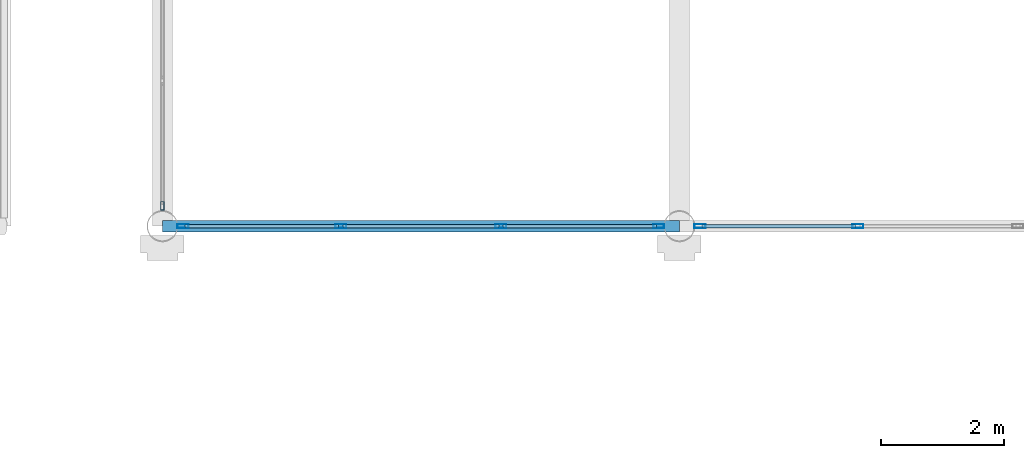
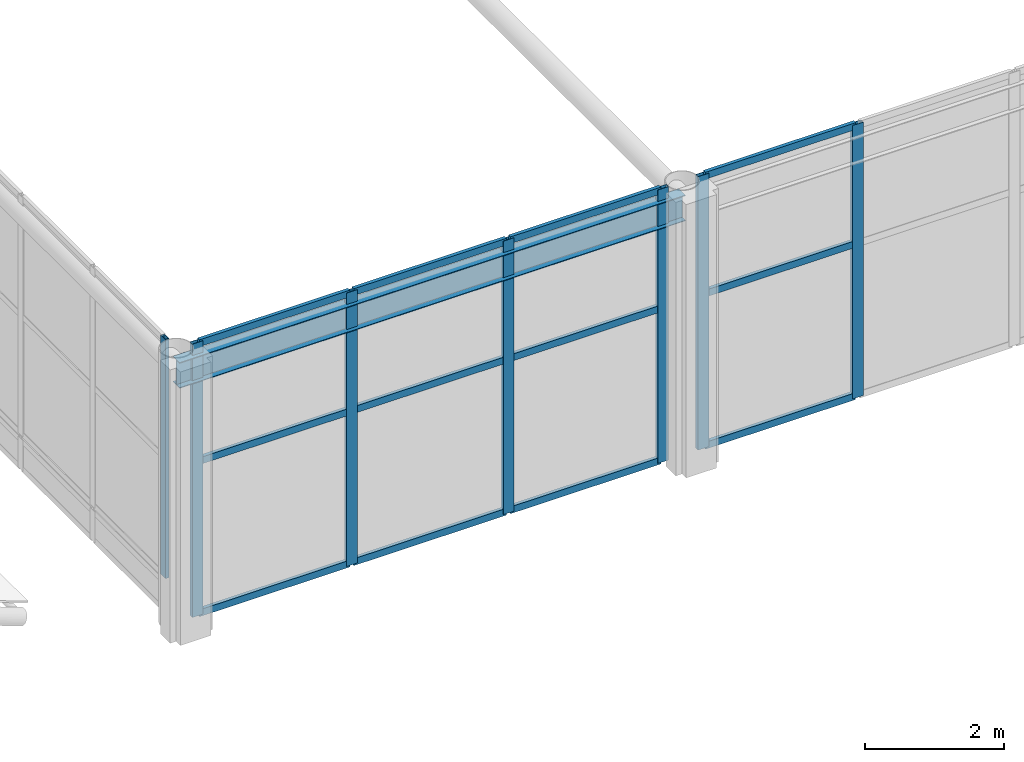
# One storey, part 18 of 167: 19 members, 1 beam, 3 elements without a shape of their own.
"""IFC4 building model written with IfcOpenShell, lengths in metres."""

from ifc_helpers import new_model, si_unit, direction, frame, origin, origin_2d, place, context, subcontext, project, spatial, hollow_rectangle, i_section, extrude, material, material_profile, profile_set, type_object, element, aggregate, save


model = new_model("IFC4")

# Units and contexts
model_context = context("Model", 3, precision=1e-05, world=origin(), true_north=direction((0.0, 1.0)))
body_context = subcontext(model_context, "Body", "Model", "MODEL_VIEW")
ifc_project = project(units=[si_unit("LENGTHUNIT", "METRE"), si_unit("AREAUNIT", "SQUARE_METRE"), si_unit("VOLUMEUNIT", "CUBIC_METRE"), si_unit("PLANEANGLEUNIT", "RADIAN"), si_unit("MASSUNIT", "GRAM", prefix="KILO")], contexts=[model_context])

# Site, building, storey
site_placement = place(None, origin())
site = spatial("IfcSite", under=ifc_project, at=site_placement, CompositionType="ELEMENT")
building_placement = place(site_placement, origin())
building = spatial("IfcBuilding", under=site, at=building_placement, Name="Catenary Quay Ferry Terminal", CompositionType="ELEMENT")
storey_placement = place(building_placement, frame((0.0, 0.0, 6.0)))
storey = spatial("IfcBuildingStorey", under=building, at=storey_placement, Name="L01", CompositionType="ELEMENT", Elevation=6.0)

# Beam
ifc_material_1 = material(Name="Steel S355", Category="steel")
ifc_material_profile_1 = material_profile(ifc_material_1, i_section(OverallWidth=0.18994140625, OverallDepth=0.453369140625, WebThickness=0.008544921875, FlangeThickness=0.0126953125, at=origin_2d()), Name="UB 457x191x67")
ifc_profile_set_1 = profile_set([ifc_material_profile_1], Name="Steel S355")
beam_type = type_object("IfcBeamType", Name="B1 UB 457x191x67", PredefinedType="BEAM", material=ifc_profile_set_1)
beam_placement = place(storey_placement, frame((25.199951171875, 67.199951171875, 4.373046875), z_axis=(1.0, 0.0, 0.0), x_axis=(0.0, 1.0, 0.0)))
element("IfcBeam", 1, at=beam_placement, inside=storey, type_object=beam_type, Name="Beam B1-001", PredefinedType="BEAM", context=body_context, shape_type="SweptSolid", body=[
    extrude(i_section(OverallWidth=0.18994140625, OverallDepth=0.453369140625, WebThickness=0.008544921875, FlangeThickness=0.0126953125, at=origin_2d()), origin(), (0.0, 0.0, 1.0), 8.400146484375),
])

# Curtain wall, member
ifc_material_2 = material(Name="Aluminium and glass", Category="aluminium")
curtain_wall_type_1 = type_object("IfcCurtainWallType", Name="CWG", PredefinedType="NOTDEFINED", material=ifc_material_2)
curtain_wall_1_placement = place(storey_placement, origin())
curtain_wall_1 = element("IfcCurtainWall", 2, at=curtain_wall_1_placement, inside=storey, type_object=curtain_wall_type_1, Name="Gable arrivals hall curtain wall CW4", PredefinedType="NOTDEFINED")
ifc_material_3 = material(Name="Aluminium", Category="aluminium")
ifc_material_profile_2 = material_profile(ifc_material_3, hollow_rectangle(XDim=0.06005859375, YDim=0.139892578125, WallThickness=0.006103515625, at=origin_2d()), Name="MU2")
ifc_profile_set_2 = profile_set([ifc_material_profile_2], Name="Aluminium")
member_type_1 = type_object("IfcMemberType", Name="MU2", PredefinedType="MULLION", material=ifc_profile_set_2)
member_1_placement = place(storey_placement, frame((25.199951171875, 67.530029296875, 0.60009765625), z_axis=(0.0, 0.0, 1.0), x_axis=(-1.0, 0.0, 0.0)))
member_1 = element("IfcMember", 3, at=member_1_placement, type_object=member_type_1, Name="CW4 mullion 1", PredefinedType="MULLION", context=body_context, shape_type="SweptSolid", body=[
    extrude(hollow_rectangle(XDim=0.06005859375, YDim=0.139892578125, WallThickness=0.006103515625, at=origin_2d()), origin(), (0.0, 0.0, 1.0), 4.199951171875),
])
aggregate(curtain_wall_1, [member_1])

# Curtain wall, members
ifc_material_4 = material(Name="Aluminium and glass", Category="aluminium")
curtain_wall_type_2 = type_object("IfcCurtainWallType", Name="CWH", PredefinedType="NOTDEFINED", material=ifc_material_4)
curtain_wall_2_placement = place(storey_placement, origin())
curtain_wall_2 = element("IfcCurtainWall", 4, at=curtain_wall_2_placement, inside=storey, type_object=curtain_wall_type_2, Name="Hall curtain wall CW32", PredefinedType="NOTDEFINED")
ifc_material_5 = material(Name="Aluminium", Category="aluminium")
ifc_material_profile_3 = material_profile(ifc_material_5, hollow_rectangle(XDim=0.070068359375, YDim=0.179931640625, WallThickness=0.006103515625, at=origin_2d()), Name="MU3")
ifc_profile_set_3 = profile_set([ifc_material_profile_3], Name="Aluminium")
member_type_2 = type_object("IfcMemberType", Name="MU3", PredefinedType="MULLION", material=ifc_profile_set_3)
member_2_placement = place(storey_placement, frame((25.534912109375, 67.199951171875, 0.0), z_axis=(0.0, 0.0, 1.0), x_axis=(0.0, 1.0, 0.0)))
member_2 = element("IfcMember", 5, at=member_2_placement, type_object=member_type_2, Name="CW32 mullion 1", PredefinedType="MULLION", context=body_context, shape_type="SweptSolid", body=[
    extrude(hollow_rectangle(XDim=0.070068359375, YDim=0.179931640625, WallThickness=0.006103515625, at=origin_2d()), origin(), (0.0, 0.0, 1.0), 4.800048828125),
])
member_3_placement = place(storey_placement, frame((28.10009765625, 67.199951171875, 0.0), z_axis=(0.0, 0.0, 1.0), x_axis=(0.0, 1.0, 0.0)))
member_3 = element("IfcMember", 6, at=member_3_placement, type_object=member_type_2, Name="CW32 mullion 2", PredefinedType="MULLION", context=body_context, shape_type="SweptSolid", body=[
    extrude(hollow_rectangle(XDim=0.070068359375, YDim=0.179931640625, WallThickness=0.006103515625, at=origin_2d()), origin(), (0.0, 0.0, 1.0), 4.800048828125),
])
member_4_placement = place(storey_placement, frame((30.699951171875, 67.199951171875, 0.0), z_axis=(0.0, 0.0, 1.0), x_axis=(0.0, 1.0, 0.0)))
member_4 = element("IfcMember", 7, at=member_4_placement, type_object=member_type_2, Name="CW32 mullion 3", PredefinedType="MULLION", context=body_context, shape_type="SweptSolid", body=[
    extrude(hollow_rectangle(XDim=0.070068359375, YDim=0.179931640625, WallThickness=0.006103515625, at=origin_2d()), origin(), (0.0, 0.0, 1.0), 4.800048828125),
])
member_5_placement = place(storey_placement, frame((33.264892578125, 67.199951171875, 0.0), z_axis=(0.0, 0.0, 1.0), x_axis=(0.0, 1.0, 0.0)))
member_5 = element("IfcMember", 8, at=member_5_placement, type_object=member_type_2, Name="CW32 mullion 4", PredefinedType="MULLION", context=body_context, shape_type="SweptSolid", body=[
    extrude(hollow_rectangle(XDim=0.070068359375, YDim=0.179931640625, WallThickness=0.006103515625, at=origin_2d()), origin(), (0.0, 0.0, 1.0), 4.800048828125),
])

curtain_wall_3_placement = place(storey_placement, origin())
curtain_wall_3 = element("IfcCurtainWall", 9, at=curtain_wall_3_placement, inside=storey, type_object=curtain_wall_type_2, Name="Hall curtain wall CW33", PredefinedType="NOTDEFINED")
member_6_placement = place(storey_placement, frame((33.93505859375, 67.199951171875, 0.0), z_axis=(0.0, 0.0, 1.0), x_axis=(0.0, 1.0, 0.0)))
member_6 = element("IfcMember", 10, at=member_6_placement, type_object=member_type_2, Name="CW33 mullion 1", PredefinedType="MULLION", context=body_context, shape_type="SweptSolid", body=[
    extrude(hollow_rectangle(XDim=0.070068359375, YDim=0.179931640625, WallThickness=0.006103515625, at=origin_2d()), origin(), (0.0, 0.0, 1.0), 4.800048828125),
])
member_7_placement = place(storey_placement, frame((36.5, 67.199951171875, 0.0), z_axis=(0.0, 0.0, 1.0), x_axis=(0.0, 1.0, 0.0)))
member_7 = element("IfcMember", 11, at=member_7_placement, type_object=member_type_2, Name="CW33 mullion 2", PredefinedType="MULLION", context=body_context, shape_type="SweptSolid", body=[
    extrude(hollow_rectangle(XDim=0.070068359375, YDim=0.179931640625, WallThickness=0.006103515625, at=origin_2d()), origin(), (0.0, 0.0, 1.0), 4.800048828125),
])

# Member
ifc_material_6 = material(Name="Aluminium", Category="aluminium")
ifc_material_profile_4 = material_profile(ifc_material_6, hollow_rectangle(XDim=0.06005859375, YDim=0.1201171875, WallThickness=0.0048828125, at=origin_2d()), Name="TR3")
ifc_profile_set_4 = profile_set([ifc_material_profile_4], Name="Aluminium")
member_type_3 = type_object("IfcMemberType", Name="TR3", PredefinedType="USERDEFINED", material=ifc_profile_set_4)
member_8_placement = place(storey_placement, frame((25.570068359375, 67.199951171875, 0.030029296875), z_axis=(1.0, 0.0, 0.0), x_axis=(0.0, 1.0, 0.0)))
member_8 = element("IfcMember", 12, at=member_8_placement, type_object=member_type_3, Name="CW32 transom 1.1", ObjectType="TRANSOM", PredefinedType="USERDEFINED", context=body_context, shape_type="SweptSolid", body=[
    extrude(hollow_rectangle(XDim=0.06005859375, YDim=0.1201171875, WallThickness=0.0048828125, at=origin_2d()), origin(), (0.0, 0.0, 1.0), 2.494873046875),
])

member_9_placement = place(storey_placement, frame((25.570068359375, 67.199951171875, 2.699951171875), z_axis=(1.0, 0.0, 0.0), x_axis=(0.0, 1.0, 0.0)))
member_9 = element("IfcMember", 13, at=member_9_placement, type_object=member_type_3, Name="CW32 transom 1.2", ObjectType="TRANSOM", PredefinedType="USERDEFINED", context=body_context, shape_type="SweptSolid", body=[
    extrude(hollow_rectangle(XDim=0.06005859375, YDim=0.1201171875, WallThickness=0.0048828125, at=origin_2d()), origin(), (0.0, 0.0, 1.0), 2.494873046875),
])

member_10_placement = place(storey_placement, frame((25.570068359375, 67.199951171875, 4.77001953125), z_axis=(1.0, 0.0, 0.0), x_axis=(0.0, 1.0, 0.0)))
member_10 = element("IfcMember", 14, at=member_10_placement, type_object=member_type_3, Name="CW32 transom 1.3", ObjectType="TRANSOM", PredefinedType="USERDEFINED", context=body_context, shape_type="SweptSolid", body=[
    extrude(hollow_rectangle(XDim=0.06005859375, YDim=0.1201171875, WallThickness=0.0048828125, at=origin_2d()), origin(), (0.0, 0.0, 1.0), 2.494873046875),
])

member_11_placement = place(storey_placement, frame((28.135009765625, 67.199951171875, 0.030029296875), z_axis=(1.0, 0.0, 0.0), x_axis=(0.0, 1.0, 0.0)))
member_11 = element("IfcMember", 15, at=member_11_placement, type_object=member_type_3, Name="CW32 transom 2.1", ObjectType="TRANSOM", PredefinedType="USERDEFINED", context=body_context, shape_type="SweptSolid", body=[
    extrude(hollow_rectangle(XDim=0.06005859375, YDim=0.1201171875, WallThickness=0.0048828125, at=origin_2d()), origin(), (0.0, 0.0, 1.0), 2.530029296875),
])

member_12_placement = place(storey_placement, frame((28.135009765625, 67.199951171875, 2.699951171875), z_axis=(1.0, 0.0, 0.0), x_axis=(0.0, 1.0, 0.0)))
member_12 = element("IfcMember", 16, at=member_12_placement, type_object=member_type_3, Name="CW32 transom 2.2", ObjectType="TRANSOM", PredefinedType="USERDEFINED", context=body_context, shape_type="SweptSolid", body=[
    extrude(hollow_rectangle(XDim=0.06005859375, YDim=0.1201171875, WallThickness=0.0048828125, at=origin_2d()), origin(), (0.0, 0.0, 1.0), 2.530029296875),
])

member_13_placement = place(storey_placement, frame((28.135009765625, 67.199951171875, 4.77001953125), z_axis=(1.0, 0.0, 0.0), x_axis=(0.0, 1.0, 0.0)))
member_13 = element("IfcMember", 17, at=member_13_placement, type_object=member_type_3, Name="CW32 transom 2.3", ObjectType="TRANSOM", PredefinedType="USERDEFINED", context=body_context, shape_type="SweptSolid", body=[
    extrude(hollow_rectangle(XDim=0.06005859375, YDim=0.1201171875, WallThickness=0.0048828125, at=origin_2d()), origin(), (0.0, 0.0, 1.0), 2.530029296875),
])

member_14_placement = place(storey_placement, frame((30.735107421875, 67.199951171875, 0.030029296875), z_axis=(1.0, 0.0, 0.0), x_axis=(0.0, 1.0, 0.0)))
member_14 = element("IfcMember", 18, at=member_14_placement, type_object=member_type_3, Name="CW32 transom 3.1", ObjectType="TRANSOM", PredefinedType="USERDEFINED", context=body_context, shape_type="SweptSolid", body=[
    extrude(hollow_rectangle(XDim=0.06005859375, YDim=0.1201171875, WallThickness=0.0048828125, at=origin_2d()), origin(), (0.0, 0.0, 1.0), 2.494873046875),
])

member_15_placement = place(storey_placement, frame((30.735107421875, 67.199951171875, 2.699951171875), z_axis=(1.0, 0.0, 0.0), x_axis=(0.0, 1.0, 0.0)))
member_15 = element("IfcMember", 19, at=member_15_placement, type_object=member_type_3, Name="CW32 transom 3.2", ObjectType="TRANSOM", PredefinedType="USERDEFINED", context=body_context, shape_type="SweptSolid", body=[
    extrude(hollow_rectangle(XDim=0.06005859375, YDim=0.1201171875, WallThickness=0.0048828125, at=origin_2d()), origin(), (0.0, 0.0, 1.0), 2.494873046875),
])

member_16_placement = place(storey_placement, frame((30.735107421875, 67.199951171875, 4.77001953125), z_axis=(1.0, 0.0, 0.0), x_axis=(0.0, 1.0, 0.0)))
member_16 = element("IfcMember", 20, at=member_16_placement, type_object=member_type_3, Name="CW32 transom 3.3", ObjectType="TRANSOM", PredefinedType="USERDEFINED", context=body_context, shape_type="SweptSolid", body=[
    extrude(hollow_rectangle(XDim=0.06005859375, YDim=0.1201171875, WallThickness=0.0048828125, at=origin_2d()), origin(), (0.0, 0.0, 1.0), 2.494873046875),
])

aggregate(curtain_wall_2, [member_2, member_3, member_4, member_5, member_8, member_9, member_10, member_11, member_12, member_13, member_14, member_15, member_16])

member_17_placement = place(storey_placement, frame((33.969970703125, 67.199951171875, 0.030029296875), z_axis=(1.0, 0.0, 0.0), x_axis=(0.0, 1.0, 0.0)))
member_17 = element("IfcMember", 21, at=member_17_placement, type_object=member_type_3, Name="CW33 transom 1.1", ObjectType="TRANSOM", PredefinedType="USERDEFINED", context=body_context, shape_type="SweptSolid", body=[
    extrude(hollow_rectangle(XDim=0.06005859375, YDim=0.1201171875, WallThickness=0.0048828125, at=origin_2d()), origin(), (0.0, 0.0, 1.0), 2.4951171875),
])

member_18_placement = place(storey_placement, frame((33.969970703125, 67.199951171875, 2.699951171875), z_axis=(1.0, 0.0, 0.0), x_axis=(0.0, 1.0, 0.0)))
member_18 = element("IfcMember", 22, at=member_18_placement, type_object=member_type_3, Name="CW33 transom 1.2", ObjectType="TRANSOM", PredefinedType="USERDEFINED", context=body_context, shape_type="SweptSolid", body=[
    extrude(hollow_rectangle(XDim=0.06005859375, YDim=0.1201171875, WallThickness=0.0048828125, at=origin_2d()), origin(), (0.0, 0.0, 1.0), 2.4951171875),
])

member_19_placement = place(storey_placement, frame((33.969970703125, 67.199951171875, 4.77001953125), z_axis=(1.0, 0.0, 0.0), x_axis=(0.0, 1.0, 0.0)))
member_19 = element("IfcMember", 23, at=member_19_placement, type_object=member_type_3, Name="CW33 transom 1.3", ObjectType="TRANSOM", PredefinedType="USERDEFINED", context=body_context, shape_type="SweptSolid", body=[
    extrude(hollow_rectangle(XDim=0.06005859375, YDim=0.1201171875, WallThickness=0.0048828125, at=origin_2d()), origin(), (0.0, 0.0, 1.0), 2.4951171875),
])

aggregate(curtain_wall_3, [member_6, member_7, member_17, member_18, member_19])

save(model, "model.ifc")
